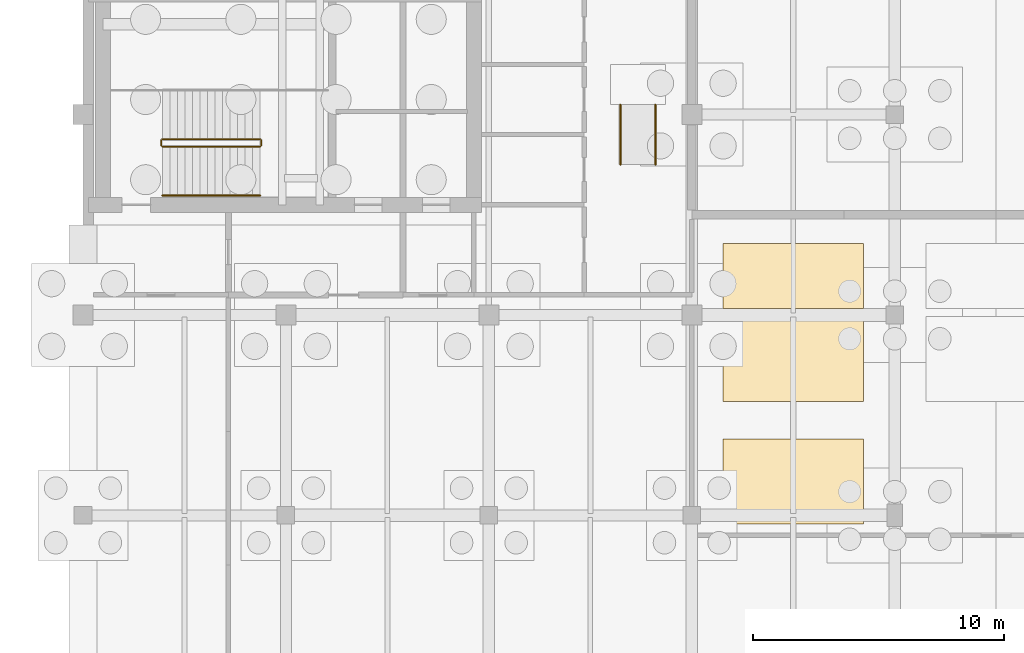
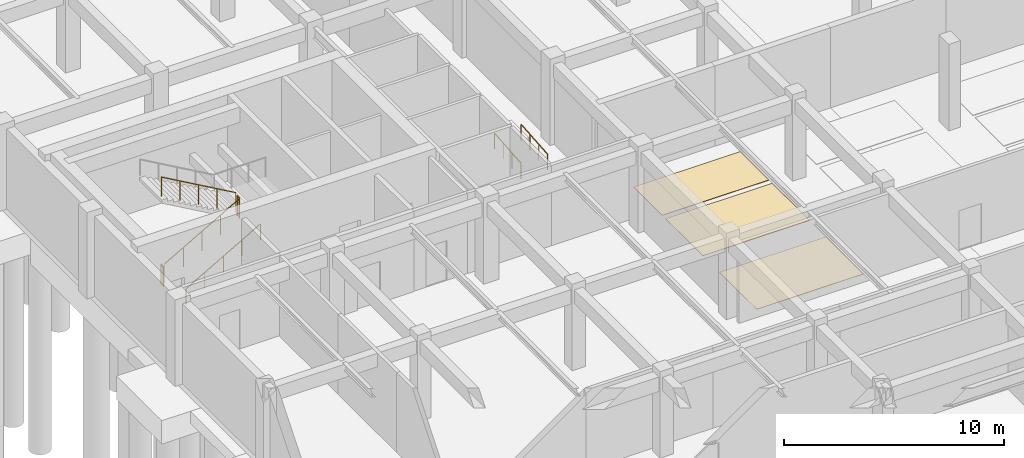
# One storey, part 20 of 25: 7 railings, 3 coverings.
"""IFC4 building model written with IfcOpenShell, lengths in metres."""

from ifc_helpers import new_model, si_unit, direction, frame, origin, origin_2d, place, context, subcontext, project, spatial, polyline, circle, outline, extrude, material, layer, layer_set, type_object, element, save


model = new_model("IFC4")

# Units and contexts
model_context = context("Model", 3, precision=1e-05, world=origin(), true_north=direction((0.0, 1.0)))
body_context = subcontext(model_context, "Body", "Model", "MODEL_VIEW")
ifc_project = project(units=[si_unit("LENGTHUNIT", "METRE"), si_unit("AREAUNIT", "SQUARE_METRE"), si_unit("VOLUMEUNIT", "CUBIC_METRE"), si_unit("PLANEANGLEUNIT", "RADIAN"), si_unit("MASSUNIT", "GRAM", prefix="KILO")], contexts=[model_context])

# Site, building, storey
site_placement = place(None, origin())
site = spatial("IfcSite", under=ifc_project, at=site_placement, CompositionType="ELEMENT")
building_placement = place(site_placement, origin())
building = spatial("IfcBuilding", under=site, at=building_placement, Name="Tarnveldt Square Police Headquarters", CompositionType="ELEMENT")
storey_placement = place(building_placement, frame((0.0, 0.0, -4.800048828125)))
storey = spatial("IfcBuildingStorey", under=building, at=storey_placement, Name="B1", CompositionType="ELEMENT", Elevation=-4.800048828125)

# Coverings
ifc_material_1 = material(Name="Polished cementitious terrazzo flooring", Category="concrete")
ifc_layer = layer(ifc_material_1, 0.02490234375)
ifc_layer_set = layer_set([ifc_layer], Name="Polished cementitious terrazzo flooring")
covering_type = type_object("IfcCoveringType", Name="COV-FLR-25", PredefinedType="FLOORING", material=ifc_layer_set)
covering_1_placement = place(storey_placement, origin())
element("IfcCovering", 1, at=covering_1_placement, inside=storey, type_object=covering_type, Name="Accessible Parking Bay B1-A1", PredefinedType="FLOORING", context=body_context, shape_type="SweptSolid", body=[
    extrude(outline(polyline([(47.35009765625, 47.64990234375), (47.35009765625, 51.050048828125), (41.75, 51.050048828125), (41.75, 47.64990234375), (47.35009765625, 47.64990234375)])), origin(), (0.0, 0.0, 1.0), 0.025146484375),
])
covering_2_placement = place(storey_placement, origin())
element("IfcCovering", 2, at=covering_2_placement, inside=storey, type_object=covering_type, Name="Accessible Parking Bay B1-A2", PredefinedType="FLOORING", context=body_context, shape_type="SweptSolid", body=[
    extrude(outline(polyline([(47.35009765625, 52.550048828125), (47.35009765625, 55.949951171875), (41.75, 55.949951171875), (41.75, 52.550048828125), (47.35009765625, 52.550048828125)])), origin(), (0.0, 0.0, 1.0), 0.025146484375),
])
covering_3_placement = place(storey_placement, origin())
element("IfcCovering", 3, at=covering_3_placement, inside=storey, type_object=covering_type, Name="Patrol Parking Bay B1-01", PredefinedType="FLOORING", context=body_context, shape_type="SweptSolid", body=[
    extrude(outline(polyline([(47.35009765625, 56.25), (47.35009765625, 58.85009765625), (41.75, 58.85009765625), (41.75, 56.25), (47.35009765625, 56.25)])), origin(), (0.0, 0.0, 1.0), 0.025146484375),
])

# Railings
ifc_material_2 = material(Name="Steel 350W", Category="steel")
railing_type_1 = type_object("IfcRailingType", Name="RL-GR-1100", PredefinedType="GUARDRAIL", material=ifc_material_2)
railing_1_placement = place(storey_placement, frame((19.3701171875, 62.719970703125, 0.17138671875)))
element("IfcRailing", 4, at=railing_1_placement, inside=storey, type_object=railing_type_1, Name="B1 ST1 stair guard 1", PredefinedType="GUARDRAIL", context=body_context, shape_type="SweptSolid", body=[
    extrude(circle(Radius=0.02392578125, at=origin_2d()), frame((0.0, 0.0, 1.076171875), z_axis=(0.868219727965, 0.0, 0.496179910892), x_axis=(0.0, 1.0, 0.0)), (0.0, 0.0, 1.0), 4.491943359375),
    extrude(circle(Radius=0.02099609375, at=origin_2d()), origin(), (0.0, 0.0, 1.0), 1.052001953125),
    extrude(circle(Radius=0.02099609375, at=origin_2d()), frame((0.97509765625, 0.0, 0.55712890625)), (0.0, 0.0, 1.0), 1.052001953125),
    extrude(circle(Radius=0.02099609375, at=origin_2d()), frame((1.949951171875, 0.0, 1.1142578125)), (0.0, 0.0, 1.0), 1.052001953125),
    extrude(circle(Radius=0.02099609375, at=origin_2d()), frame((2.9248046875, 0.0, 1.671630859375)), (0.0, 0.0, 1.0), 1.052001953125),
    extrude(circle(Radius=0.02099609375, at=origin_2d()), frame((3.89990234375, 0.0, 2.228759765625)), (0.0, 0.0, 1.0), 1.052001953125),
])
railing_2_placement = place(storey_placement, frame((23.320068359375, 62.77001953125, 2.400146484375)))
element("IfcRailing", 5, at=railing_2_placement, inside=storey, type_object=railing_type_1, Name="B1 ST1 stair guard 2", PredefinedType="GUARDRAIL", context=body_context, shape_type="SweptSolid", body=[
    extrude(circle(Radius=0.02392578125, at=origin_2d()), frame((0.0, 0.0, 1.076171875), z_axis=(0.0, 1.0, 0.0), x_axis=(-1.0, 0.0, 0.0)), (0.0, 0.0, 1.0), 0.199951171875),
    extrude(circle(Radius=0.02099609375, at=origin_2d()), origin(), (0.0, 0.0, 1.0), 1.052001953125),
    extrude(circle(Radius=0.02099609375, at=origin_2d()), frame((0.0, 0.199951171875, 0.0)), (0.0, 0.0, 1.0), 1.052001953125),
])
railing_3_placement = place(storey_placement, frame((23.27001953125, 63.02001953125, 2.571533203125)))
element("IfcRailing", 6, at=railing_3_placement, inside=storey, type_object=railing_type_1, Name="B1 ST1 stair guard 4", PredefinedType="GUARDRAIL", context=body_context, shape_type="SweptSolid", body=[
    extrude(circle(Radius=0.02392578125, at=origin_2d()), frame((0.0, 0.0, 1.076171875), z_axis=(-0.868243142124, 0.0, 0.496138938357), x_axis=(0.0, -1.0, 0.0)), (0.0, 0.0, 1.0), 4.49169921875),
    extrude(circle(Radius=0.02099609375, at=origin_2d()), origin(), (0.0, 0.0, 1.0), 1.052001953125),
    extrude(circle(Radius=0.02099609375, at=origin_2d()), frame((-0.97509765625, 0.0, 0.55712890625)), (0.0, 0.0, 1.0), 1.052001953125),
    extrude(circle(Radius=0.02099609375, at=origin_2d()), frame((-1.949951171875, 0.0, 1.1142578125)), (0.0, 0.0, 1.0), 1.052001953125),
    extrude(circle(Radius=0.02099609375, at=origin_2d()), frame((-2.9248046875, 0.0, 1.67138671875)), (0.0, 0.0, 1.0), 1.052001953125),
    extrude(circle(Radius=0.02099609375, at=origin_2d()), frame((-3.89990234375, 0.0, 2.228515625)), (0.0, 0.0, 1.0), 1.052001953125),
])
railing_4_placement = place(storey_placement, frame((19.320068359375, 62.77001953125, 0.0)))
element("IfcRailing", 7, at=railing_4_placement, inside=storey, type_object=railing_type_1, Name="B1 ST1 stair guard 5", PredefinedType="GUARDRAIL", context=body_context, shape_type="SweptSolid", body=[
    extrude(circle(Radius=0.02392578125, at=origin_2d()), frame((0.0, 0.0, 1.076171875), z_axis=(0.0, 1.0, 0.0), x_axis=(-1.0, 0.0, 0.0)), (0.0, 0.0, 1.0), 0.199951171875),
    extrude(circle(Radius=0.02099609375, at=origin_2d()), origin(), (0.0, 0.0, 1.0), 1.052001953125),
    extrude(circle(Radius=0.02099609375, at=origin_2d()), frame((0.0, 0.199951171875, 0.0)), (0.0, 0.0, 1.0), 1.052001953125),
])
railing_type_2 = type_object("IfcRailingType", Name="RL-HR-900", PredefinedType="HANDRAIL", material=ifc_material_2)
railing_5_placement = place(storey_placement, frame((19.3701171875, 60.77001953125, 0.17138671875)))
element("IfcRailing", 8, at=railing_5_placement, inside=storey, type_object=railing_type_2, Name="B1 ST1 stair handrail 1", PredefinedType="HANDRAIL", context=body_context, shape_type="SweptSolid", body=[
    extrude(circle(Radius=0.02392578125, at=origin_2d()), frame((0.0, 0.0, 0.8759765625), z_axis=(0.868219727965, 0.0, 0.496179910892), x_axis=(0.0, 1.0, 0.0)), (0.0, 0.0, 1.0), 4.491943359375),
    extrude(circle(Radius=0.02099609375, at=origin_2d()), origin(), (0.0, 0.0, 1.0), 0.851806640625),
    extrude(circle(Radius=0.02099609375, at=origin_2d()), frame((0.97509765625, 0.0, 0.55712890625)), (0.0, 0.0, 1.0), 0.851806640625),
    extrude(circle(Radius=0.02099609375, at=origin_2d()), frame((1.949951171875, 0.0, 1.1142578125)), (0.0, 0.0, 1.0), 0.851806640625),
    extrude(circle(Radius=0.02099609375, at=origin_2d()), frame((2.9248046875, 0.0, 1.671630859375)), (0.0, 0.0, 1.0), 0.851806640625),
    extrude(circle(Radius=0.02099609375, at=origin_2d()), frame((3.89990234375, 0.0, 2.228759765625)), (0.0, 0.0, 1.0), 0.851806640625),
])
for number, where, name in (
    (9, (37.64990234375, 62.0, 0.0), "Core K1 Accessible Lobby Ramp PR1 Left Handrail"),
    (10, (39.050048828125, 62.0, 0.0), "Core K1 Accessible Lobby Ramp PR1 Right Handrail"),
):
    element("IfcRailing", number, at=place(storey_placement, frame(where)), inside=storey, type_object=railing_type_2, Name=name, PredefinedType="HANDRAIL", context=body_context, shape_type="SweptSolid", body=[
        extrude(circle(Radius=0.02392578125, at=origin_2d()), frame((0.0, 0.0, 0.8759765625), z_axis=(0.0, 0.996547156423, 0.083028700011), x_axis=(-1.0, 0.0, 0.0)), (0.0, 0.0, 1.0), 2.408203125),
        extrude(circle(Radius=0.02099609375, at=origin_2d()), origin(), (0.0, 0.0, 1.0), 0.851806640625),
        extrude(circle(Radius=0.02099609375, at=origin_2d()), frame((0.0, 0.800048828125, 0.066650390625)), (0.0, 0.0, 1.0), 0.851806640625),
        extrude(circle(Radius=0.02099609375, at=origin_2d()), frame((0.0, 1.599853515625, 0.13330078125)), (0.0, 0.0, 1.0), 0.851806640625),
        extrude(circle(Radius=0.02099609375, at=origin_2d()), frame((0.0, 2.39990234375, 0.199951171875)), (0.0, 0.0, 1.0), 0.851806640625),
    ])

save(model, "model.ifc")
